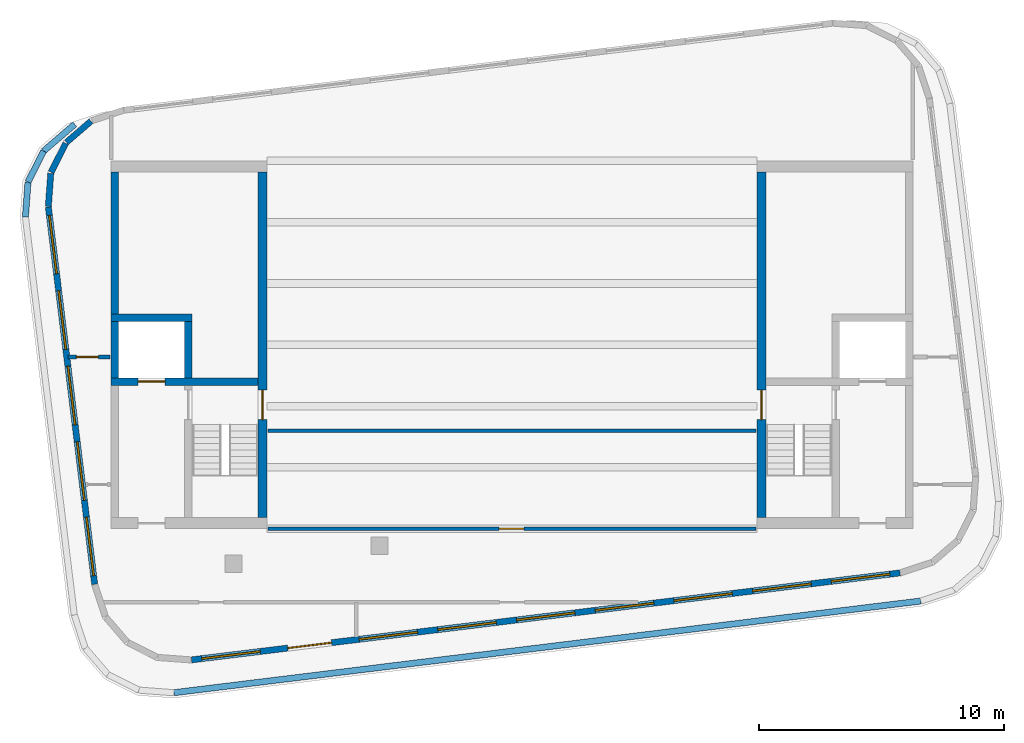
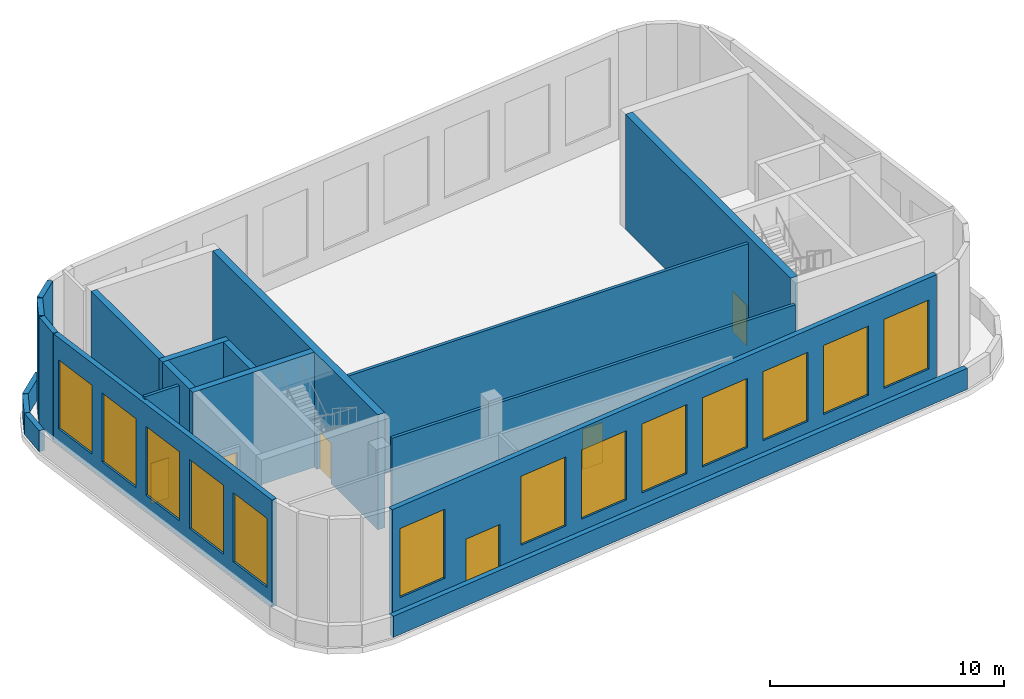
# One storey, part 2 of 5: 19 walls, 13 windows, 6 doors, 19 openings.
"""IFC4 building model written with IfcOpenShell, lengths in metres."""

import ifcopenshell
import ifcopenshell.guid

model = None  # the IFC model being written
_history = None  # IfcOwnerHistory: only IFC2X3 demands one
_inside = {}  # id of a spatial element -> (the spatial element, [elements in it])
_under = {}  # id of a project, library or spatial element -> (it, [spatial elements below it])
_declared = {}  # id of a project -> (the project, [libraries it declares])
_typed = {}  # id of a type object -> (the type object, [elements of that type])
_made_of = {}  # id of a material, layer set ... -> (it, [elements and type objects made of it])


def new_model(schema):
    """Start an empty IFC model of exactly this schema.

    Asked for "IFC4X3", IfcOpenShell would pick the latest addendum, in which some entities
    have other attributes; the version numbers below select the first issue.
    IFC2X3 requires an IfcOwnerHistory on every rooted entity: one is made here for all.
    """
    global model, _history
    if schema == "IFC4X3":
        model = ifcopenshell.file(schema_version=(4, 3, 0, 0))
    else:
        model = ifcopenshell.file(schema=schema)
    _inside.clear()
    _under.clear()
    _declared.clear()
    _typed.clear()
    _made_of.clear()
    _history = None
    if model.schema == "IFC2X3":
        org = make("IfcOrganization", Name="unknown")
        user = make(
            "IfcPersonAndOrganization",
            ThePerson=make("IfcPerson", FamilyName="unknown"),
            TheOrganization=org,
        )
        app = make(
            "IfcApplication",
            ApplicationDeveloper=org,
            Version="unknown",
            ApplicationFullName="unknown",
            ApplicationIdentifier="unknown",
        )
        _history = make(
            "IfcOwnerHistory",
            OwningUser=user,
            OwningApplication=app,
            ChangeAction="ADDED",
            CreationDate=0,
        )
    return model


def make(cls, **values):
    """One entity of the class cls with the attributes given. An attribute that is None is left unset."""
    return model.create_entity(
        cls, **{name: value for name, value in values.items() if value is not None}
    )


def rooted(cls, **values):
    """An entity with a GlobalId (a new one), such as an element, a storey or a relation."""
    return make(cls, GlobalId=ifcopenshell.guid.new(), OwnerHistory=_history, **values)


def si_unit(unit_type, name, prefix=None):
    """IfcSIUnit, for example si_unit("LENGTHUNIT", "METRE", prefix="MILLI")."""
    return make("IfcSIUnit", UnitType=unit_type, Prefix=prefix, Name=name)


def assignment(units):
    """IfcUnitAssignment: the units of a project."""
    return None if units is None else make("IfcUnitAssignment", Units=units)


def point(xyz):
    """IfcCartesianPoint."""
    return None if xyz is None else make("IfcCartesianPoint", Coordinates=xyz)


def direction(xyz):
    """IfcDirection."""
    return None if xyz is None else make("IfcDirection", DirectionRatios=xyz)


def frame(location, z_axis=None, x_axis=None):
    """IfcAxis2Placement3D, a coordinate frame: its origin and axes. An axis left out is left unset."""
    return make(
        "IfcAxis2Placement3D",
        Location=point(location),
        Axis=direction(z_axis),
        RefDirection=direction(x_axis),
    )


def frame_2d(location, x_axis=None):
    """IfcAxis2Placement2D, a coordinate frame in the plane: its origin and x axis."""
    return make(
        "IfcAxis2Placement2D", Location=point(location), RefDirection=direction(x_axis)
    )


def origin():
    """The frame at (0, 0, 0) with its axes left unset."""
    return frame((0.0, 0.0, 0.0))


def place(relative_to, where):
    """IfcLocalPlacement: puts the frame where relative to a parent placement (None: the world)."""
    return make(
        "IfcLocalPlacement", PlacementRelTo=relative_to, RelativePlacement=where
    )


def context(
    kind, dimensions, precision=None, world=None, true_north=None, identifier=None
):
    """IfcGeometricRepresentationContext, for example the 3D "Model" context."""
    return make(
        "IfcGeometricRepresentationContext",
        ContextIdentifier=identifier,
        ContextType=kind,
        CoordinateSpaceDimension=dimensions,
        Precision=precision,
        WorldCoordinateSystem=world,
        TrueNorth=true_north,
    )


def subcontext(parent, identifier, kind, view, scale=None):
    """IfcGeometricRepresentationSubContext, for example "Body" below "Model"."""
    return make(
        "IfcGeometricRepresentationSubContext",
        ContextIdentifier=identifier,
        ContextType=kind,
        ParentContext=parent,
        TargetScale=scale,
        TargetView=view,
    )


def project(units=None, contexts=None):
    """IfcProject with its units and contexts."""
    return rooted(
        "IfcProject",
        Name="project",
        RepresentationContexts=contexts,
        UnitsInContext=assignment(units),
    )


def spatial(cls, under=None, at=None, **own):
    """A site, building, storey or space (cls), placed at a placement, below another one or the project."""
    s = rooted(cls, ObjectPlacement=at, **own)
    if under is not None:
        _under.setdefault(under.id(), (under, []))[1].append(s)
    return s


def profile(cls, at=None, kind="AREA", **sizes):
    """A parametric profile (cls). Its sizes go by their IFC names, for example OverallWidth=200.0."""
    return make(cls, ProfileType=kind, Position=at, **sizes)


def rectangle(**sizes):
    """IfcRectangleProfileDef."""
    return profile("IfcRectangleProfileDef", **sizes)


def extrude(swept, where, along, depth):
    """IfcExtrudedAreaSolid: the profile swept, set in the frame where, extruded along a direction by depth."""
    return make(
        "IfcExtrudedAreaSolid",
        SweptArea=swept,
        Position=where,
        ExtrudedDirection=direction(along),
        Depth=depth,
    )


def shape(context_of_items, identifier, shape_type, items):
    """IfcShapeRepresentation: the items that make up one representation, for example the "Body"."""
    return make(
        "IfcShapeRepresentation",
        ContextOfItems=context_of_items,
        RepresentationIdentifier=identifier,
        RepresentationType=shape_type,
        Items=items,
    )


def material(Name=None, Category=None):
    """IfcMaterial."""
    return make("IfcMaterial", Name=Name, Category=Category)


def layer(
    of_material, thickness, ventilated=None, Name=None, Category=None, Priority=None
):
    """IfcMaterialLayer: one layer of a wall or slab, of a material (None: an air gap)."""
    return make(
        "IfcMaterialLayer",
        Material=of_material,
        LayerThickness=thickness,
        IsVentilated=ventilated,
        Name=Name,
        Category=Category,
        Priority=Priority,
    )


def layer_set(layers, Name=None):
    """IfcMaterialLayerSet."""
    return make("IfcMaterialLayerSet", MaterialLayers=layers, LayerSetName=Name)


def made_of(thing, what):
    """Note that an element or type object is made of a material, layer set ...; save() writes the relation."""
    if what is not None:
        _made_of.setdefault(what.id(), (what, []))[1].append(thing)
    return thing


def type_object(cls, material=None, **own):
    """A type object (cls), such as IfcWallType, which elements share."""
    return made_of(rooted(cls, **own), material)


def element(
    cls,
    number,
    at=None,
    inside=None,
    cuts=None,
    type_object=None,
    material=None,
    context=None,
    identifier="Body",
    shape_type=None,
    held_by="IfcProductDefinitionShape",
    body=None,
    shapes=None,
    **own,
):
    """One element of the class cls, such as IfcWall. Its Tag is "e" and its number.

    at: its placement. inside: the storey or other place that contains it. cuts: it is an
    opening in that element (IfcRelVoidsElement). A single representation is given by context,
    identifier, shape_type and body (its items); several are given by shapes. held_by: the class
    of the entity that holds the representations. save() writes the other relations.
    """
    e = rooted(cls, Tag="e%d" % number, ObjectPlacement=at, **own)
    if body is not None:
        shapes = [shape(context, identifier, shape_type, body)]
    if shapes is not None:
        e.Representation = make(held_by, Representations=shapes)
    if inside is not None:
        _inside.setdefault(inside.id(), (inside, []))[1].append(e)
    if cuts is not None:
        rooted(
            "IfcRelVoidsElement", RelatingBuildingElement=cuts, RelatedOpeningElement=e
        )
    if type_object is not None:
        _typed.setdefault(type_object.id(), (type_object, []))[1].append(e)
    return made_of(e, material)


def fill(opening, filler):
    """IfcRelFillsElement: the door or window that sits in an opening."""
    return rooted(
        "IfcRelFillsElement",
        RelatingOpeningElement=opening,
        RelatedBuildingElement=filler,
    )


def aggregate(whole, parts):
    """IfcRelAggregates: a whole, such as a stair, and the parts it consists of."""
    return rooted("IfcRelAggregates", RelatingObject=whole, RelatedObjects=parts)


def save(model, path):
    """Write the relations noted so far, then the file.

    IfcRelAggregates (storeys below a building ...), IfcRelContainedInSpatialStructure (elements
    in a storey), IfcRelDefinesByType, IfcRelAssociatesMaterial and IfcRelDeclares: one each for
    every whole, place, type object, material and project.
    """
    for whole, parts in _under.values():
        aggregate(whole, parts)
    for where, things in _inside.values():
        rooted(
            "IfcRelContainedInSpatialStructure",
            RelatedElements=things,
            RelatingStructure=where,
        )
    for kind, things in _typed.values():
        rooted("IfcRelDefinesByType", RelatedObjects=things, RelatingType=kind)
    for what, things in _made_of.values():
        rooted("IfcRelAssociatesMaterial", RelatedObjects=things, RelatingMaterial=what)
    for by, libraries in _declared.values():
        rooted("IfcRelDeclares", RelatingContext=by, RelatedDefinitions=libraries)
    model.write(path)


model = new_model("IFC4")

# Units and contexts
model_context = context("Model", 3, precision=1e-05, world=origin(), true_north=direction((0.0, 1.0)))
body_context = subcontext(model_context, "Body", "Model", "MODEL_VIEW")
ifc_project = project(units=[si_unit("LENGTHUNIT", "METRE"), si_unit("AREAUNIT", "SQUARE_METRE"), si_unit("VOLUMEUNIT", "CUBIC_METRE"), si_unit("PLANEANGLEUNIT", "RADIAN"), si_unit("MASSUNIT", "GRAM", prefix="KILO")], contexts=[model_context])

# Site, building, storey
site_placement = place(None, origin())
site = spatial("IfcSite", under=ifc_project, at=site_placement, CompositionType="ELEMENT")
building_placement = place(site_placement, origin())
building = spatial("IfcBuilding", under=site, at=building_placement, Name="Torana Hotel and Residences", CompositionType="ELEMENT")
storey_placement = place(building_placement, frame((0.0, 0.0, 357.39990234375)))
storey = spatial("IfcBuildingStorey", under=building, at=storey_placement, Name="C4", CompositionType="ELEMENT", Elevation=357.39990234375)

# Wall
ifc_material_1 = material(Name="Concrete C50/60", Category="concrete")
ifc_layer_1 = layer(ifc_material_1, 0.300048828125)
ifc_layer_set_1 = layer_set([ifc_layer_1], Name="CORE WALL 300 C50/60")
wall_type_1 = type_object("IfcWallType", Name="CORE WALL 300 C50/60", PredefinedType="SHEAR", material=ifc_layer_set_1)
wall_1_placement = place(storey_placement, frame((-16.199951171875, -6.25, 0.0), z_axis=(0.0, 0.0, 1.0), x_axis=(0.0, 1.0, 0.0)))
element("IfcWall", 1, at=wall_1_placement, inside=storey, type_object=wall_type_1, Name="Core wall W outer-n", PredefinedType="SHEAR", context=body_context, shape_type="SweptSolid", body=[
    extrude(rectangle(XDim=5.800048828125, YDim=0.300048828125, at=frame_2d((2.89990234375, 0.0))), origin(), (0.0, 0.0, 1.0), 6.0),
])

# Wall, opening, door
wall_2_placement = place(storey_placement, frame((-16.35009765625, -9.0, 0.0), z_axis=(0.0, 0.0, 1.0), x_axis=(1.0, 0.0, 0.0)))
wall_2 = element("IfcWall", 2, at=wall_2_placement, inside=storey, type_object=wall_type_1, Name="Core wall W band", PredefinedType="SHEAR", context=body_context, shape_type="SweptSolid", body=[
    extrude(rectangle(XDim=6.0, YDim=0.300048828125, at=frame_2d((3.0, 0.0))), origin(), (0.0, 0.0, 1.0), 6.0),
])
opening_1_placement = place(wall_2_placement, frame((1.10009765625, 0.0, 0.0)))
opening_1 = element("IfcOpeningElement", 3, at=opening_1_placement, cuts=wall_2, Name="Opening LD", PredefinedType="OPENING", context=body_context, shape_type="SweptSolid", body=[
    extrude(rectangle(XDim=1.10009765625, YDim=2.10009765625, at=frame_2d((0.550048828125, 1.050048828125))), frame((0.0, 0.159912109375, 0.0), z_axis=(0.0, -1.0, 0.0), x_axis=(1.0, 0.0, 0.0)), (0.0, 0.0, 1.0), 0.320068359375),
])
ifc_material_2 = material(Name="Stainless steel 316", Category="steel")
door_type_1 = type_object("IfcDoorType", Name="LIFT LANDING DOOR LD 1100x2100", OperationType="DOUBLE_DOOR_SLIDING", PredefinedType="USERDEFINED", material=ifc_material_2)
door_1_placement = place(opening_1_placement, origin())
door_1 = element("IfcDoor", 4, at=door_1_placement, inside=storey, type_object=door_type_1, Name="Lift landing door FF1 C4", ObjectType="LIFT LANDING DOOR", OperationType="DOUBLE_DOOR_SLIDING", OverallHeight=2.10009765625, OverallWidth=1.10009765625, PredefinedType="USERDEFINED", context=body_context, shape_type="SweptSolid", body=[
    extrude(rectangle(XDim=1.10009765625, YDim=2.10009765625, at=frame_2d((0.550048828125, 1.050048828125))), frame((0.0, 0.02490234375, 0.0), z_axis=(0.0, -1.0, 0.0), x_axis=(1.0, 0.0, 0.0)), (0.0, 0.0, 1.0), 0.050048828125),
])
fill(opening_1, door_1)

# Walls
wall_3_placement = place(storey_placement, frame((-16.35009765625, -6.39990234375, 0.0), z_axis=(0.0, 0.0, 1.0), x_axis=(1.0, 0.0, 0.0)))
element("IfcWall", 5, at=wall_3_placement, inside=storey, type_object=wall_type_1, Name="Core wall W row-S", PredefinedType="SHEAR", context=body_context, shape_type="SweptSolid", body=[
    extrude(rectangle(XDim=3.300048828125, YDim=0.300048828125, at=frame_2d((1.64990234375, 0.0))), origin(), (0.0, 0.0, 1.0), 6.0),
])
for number, where, z_axis, x_axis, name in (
    (6, (-13.199951171875, -8.85009765625, 0.0), (0.0, 0.0, 1.0), (0.0, 1.0, 0.0), "Core wall W x3.05-S"),
    (7, (-16.199951171875, -8.85009765625, 0.0), (0.0, 0.0, 1.0), (0.0, 1.0, 0.0), "Core wall W x6.05-S"),
):
    element("IfcWall", number, at=place(storey_placement, frame(where, z_axis=z_axis, x_axis=x_axis)), inside=storey, type_object=wall_type_1, Name=name, PredefinedType="SHEAR", context=body_context, shape_type="SweptSolid", body=[
        extrude(rectangle(XDim=2.300048828125, YDim=0.300048828125, at=frame_2d((1.14990234375, 0.0))), origin(), (0.0, 0.0, 1.0), 6.0),
    ])

# Wall, opening, door
ifc_material_3 = material(Name="Concrete C50/60", Category="concrete")
ifc_layer_2 = layer(ifc_material_3, 0.35009765625)
ifc_layer_set_2 = layer_set([ifc_layer_2], Name="CORE WALL 350 C50/60")
wall_type_2 = type_object("IfcWallType", Name="CORE WALL 350 C50/60", PredefinedType="SHEAR", material=ifc_layer_set_2)
wall_4_placement = place(storey_placement, frame((-10.175048828125, -14.550048828125, 0.0), z_axis=(0.0, 0.0, 1.0), x_axis=(0.0, 1.0, 0.0)))
wall_4 = element("IfcWall", 8, at=wall_4_placement, inside=storey, type_object=wall_type_2, Name="Core wall W arch", PredefinedType="SHEAR", context=body_context, shape_type="SweptSolid", body=[
    extrude(rectangle(XDim=14.10009765625, YDim=0.35009765625, at=frame_2d((7.050048828125, 0.0))), origin(), (0.0, 0.0, 1.0), 6.0),
])
opening_2_placement = place(wall_4_placement, frame((4.0, 0.0, 0.0)))
opening_2 = element("IfcOpeningElement", 9, at=opening_2_placement, cuts=wall_4, Name="Opening C4-01", PredefinedType="OPENING", context=body_context, shape_type="SweptSolid", body=[
    extrude(rectangle(XDim=1.199951171875, YDim=2.10009765625, at=frame_2d((0.60009765625, 1.050048828125))), frame((0.0, 0.18505859375, 0.0), z_axis=(0.0, -1.0, 0.0), x_axis=(1.0, 0.0, 0.0)), (0.0, 0.0, 1.0), 0.3701171875),
])
ifc_material_4 = material(Name="Steel S235", Category="steel")
door_type_2 = type_object("IfcDoorType", Name="STAIR FIRE DOOR D3 1200x2100", OperationType="SINGLE_SWING_LEFT", PredefinedType="DOOR", material=ifc_material_4)
door_2_placement = place(opening_2_placement, origin())
door_2 = element("IfcDoor", 10, at=door_2_placement, inside=storey, type_object=door_type_2, Name="Stair-A door C4", OperationType="SINGLE_SWING_LEFT", OverallHeight=2.10009765625, OverallWidth=1.199951171875, PredefinedType="DOOR", context=body_context, shape_type="SweptSolid", body=[
    extrude(rectangle(XDim=1.199951171875, YDim=2.10009765625, at=frame_2d((0.60009765625, 1.050048828125))), frame((0.0, 0.02490234375, 0.0), z_axis=(0.0, -1.0, 0.0), x_axis=(1.0, 0.0, 0.0)), (0.0, 0.0, 1.0), 0.050048828125),
])
fill(opening_2, door_2)

wall_5_placement = place(storey_placement, frame((10.175048828125, -14.550048828125, 0.0), z_axis=(0.0, 0.0, 1.0), x_axis=(0.0, 1.0, 0.0)))
wall_5 = element("IfcWall", 11, at=wall_5_placement, inside=storey, type_object=wall_type_2, Name="Core wall E arch", PredefinedType="SHEAR", context=body_context, shape_type="SweptSolid", body=[
    extrude(rectangle(XDim=14.10009765625, YDim=0.35009765625, at=frame_2d((7.050048828125, 0.0))), origin(), (0.0, 0.0, 1.0), 6.0),
])
opening_3_placement = place(wall_5_placement, frame((4.0, 0.0, 0.0)))
opening_3 = element("IfcOpeningElement", 12, at=opening_3_placement, cuts=wall_5, Name="Opening C4-04", PredefinedType="OPENING", context=body_context, shape_type="SweptSolid", body=[
    extrude(rectangle(XDim=1.199951171875, YDim=2.10009765625, at=frame_2d((0.60009765625, 1.050048828125))), frame((0.0, 0.18505859375, 0.0), z_axis=(0.0, -1.0, 0.0), x_axis=(1.0, 0.0, 0.0)), (0.0, 0.0, 1.0), 0.3701171875),
])
door_3_placement = place(opening_3_placement, frame((0.60009765625, 0.0, 0.0), z_axis=(0.0, 0.0, 1.0), x_axis=(-1.0, 0.0, 0.0)))
door_3 = element("IfcDoor", 13, at=door_3_placement, inside=storey, type_object=door_type_2, Name="Stair-A door C4", OperationType="SINGLE_SWING_RIGHT", OverallHeight=2.10009765625, OverallWidth=1.199951171875, PredefinedType="DOOR", context=body_context, shape_type="SweptSolid", body=[
    extrude(rectangle(XDim=1.199951171875, YDim=2.10009765625, at=frame_2d((0.0, 1.050048828125))), frame((0.0, -0.02490234375, 0.0), z_axis=(0.0, 1.0, 0.0), x_axis=(-1.0, 0.0, 0.0)), (0.0, 0.0, 1.0), 0.050048828125),
])
fill(opening_3, door_3)

# Walls
ifc_material_5 = material(Name="Aluminium louvre wall", Category="aluminium")
ifc_layer_3 = layer(ifc_material_5, 0.25)
ifc_layer_set_3 = layer_set([ifc_layer_3], Name="EW3 LOUVRE WALL 250")
wall_type_3 = type_object("IfcWallType", Name="EW3 LOUVRE WALL 250", PredefinedType="SOLIDWALL", material=ifc_layer_set_3)
wall_6_placement = place(storey_placement, frame((-17.169921875, 1.62158203125, 0.0), z_axis=(0.0, 0.0, 1.0), x_axis=(-0.757573589708, -0.652749765359, 0.0)))
element("IfcWall", 14, at=wall_6_placement, inside=storey, type_object=wall_type_3, Name="Louvre wall C4 e0.6", PredefinedType="SOLIDWALL", context=body_context, shape_type="SweptSolid", body=[
    extrude(rectangle(XDim=1.322998046875, YDim=0.25, at=frame_2d((0.66162109375, 0.0))), origin(), (0.0, 0.0, 1.0), 5.590087890625),
])
wall_7_placement = place(storey_placement, frame((-18.2021484375, 0.719482421875, 0.0), z_axis=(0.0, 0.0, 1.0), x_axis=(-0.450017080071, -0.893019948066, 0.0)))
element("IfcWall", 15, at=wall_7_placement, inside=storey, type_object=wall_type_3, Name="Louvre wall C4 e0.7", PredefinedType="SOLIDWALL", context=body_context, shape_type="SweptSolid", body=[
    extrude(rectangle(XDim=1.32275390625, YDim=0.25, at=frame_2d((0.661376953125, 0.0))), origin(), (0.0, 0.0, 1.0), 5.590087890625),
])
wall_8_placement = place(storey_placement, frame((-18.810302734375, -0.508544921875, 0.0), z_axis=(0.0, 0.0, 1.0), x_axis=(-0.074258626379, -0.99723901669, 0.0)))
element("IfcWall", 16, at=wall_8_placement, inside=storey, type_object=wall_type_3, Name="Louvre wall C4 e0.8", PredefinedType="SOLIDWALL", context=body_context, shape_type="SweptSolid", body=[
    extrude(rectangle(XDim=1.347900390625, YDim=0.25, at=frame_2d((0.673828125, 0.0))), origin(), (0.0, 0.0, 1.0), 5.590087890625),
])

# Wall, openings, windows
wall_9_placement = place(storey_placement, frame((-18.90966796875, -1.877197265625, 0.0), z_axis=(0.0, 0.0, 1.0), x_axis=(0.121859728622, -0.992547332141, 0.0)))
wall_9 = element("IfcWall", 17, at=wall_9_placement, inside=storey, type_object=wall_type_3, Name="Louvre wall C4 e0.9", PredefinedType="SOLIDWALL", context=body_context, shape_type="SweptSolid", body=[
    extrude(rectangle(XDim=15.502685546875, YDim=0.25, at=frame_2d((7.75146484375, 0.0))), origin(), (0.0, 0.0, 1.0), 5.590087890625),
])
opening_4_placement = place(wall_9_placement, frame((0.350341796875, 0.0, 0.83837890625)))
opening_4 = element("IfcOpeningElement", 18, at=opening_4_placement, cuts=wall_9, Name="Opening LV2", PredefinedType="OPENING", context=body_context, shape_type="SweptSolid", body=[
    extrude(rectangle(XDim=2.39990234375, YDim=3.60009765625, at=frame_2d((1.199951171875, 1.800048828125))), frame((0.0, 0.135009765625, 0.0), z_axis=(0.0, -1.0, 0.0), x_axis=(1.0, 0.0, 0.0)), (0.0, 0.0, 1.0), 0.27001953125),
])
opening_5_placement = place(wall_9_placement, frame((3.45068359375, 0.0, 0.83837890625)))
opening_5 = element("IfcOpeningElement", 19, at=opening_5_placement, cuts=wall_9, Name="Opening LV2", PredefinedType="OPENING", context=body_context, shape_type="SweptSolid", body=[
    extrude(rectangle(XDim=2.39990234375, YDim=3.60009765625, at=frame_2d((1.199951171875, 1.800048828125))), frame((0.0, 0.135009765625, 0.0), z_axis=(0.0, -1.0, 0.0), x_axis=(1.0, 0.0, 0.0)), (0.0, 0.0, 1.0), 0.27001953125),
])
opening_6_placement = place(wall_9_placement, frame((6.551513671875, 0.0, 0.83837890625)))
opening_6 = element("IfcOpeningElement", 20, at=opening_6_placement, cuts=wall_9, Name="Opening LV2", PredefinedType="OPENING", context=body_context, shape_type="SweptSolid", body=[
    extrude(rectangle(XDim=2.39990234375, YDim=3.60009765625, at=frame_2d((1.199951171875, 1.800048828125))), frame((0.0, 0.135009765625, 0.0), z_axis=(0.0, -1.0, 0.0), x_axis=(1.0, 0.0, 0.0)), (0.0, 0.0, 1.0), 0.27001953125),
])
opening_7_placement = place(wall_9_placement, frame((9.65185546875, 0.0, 0.83837890625)))
opening_7 = element("IfcOpeningElement", 21, at=opening_7_placement, cuts=wall_9, Name="Opening LV2", PredefinedType="OPENING", context=body_context, shape_type="SweptSolid", body=[
    extrude(rectangle(XDim=2.39990234375, YDim=3.60009765625, at=frame_2d((1.199951171875, 1.800048828125))), frame((0.0, 0.135009765625, 0.0), z_axis=(0.0, -1.0, 0.0), x_axis=(1.0, 0.0, 0.0)), (0.0, 0.0, 1.0), 0.27001953125),
])
opening_8_placement = place(wall_9_placement, frame((12.75244140625, 0.0, 0.83837890625)))
opening_8 = element("IfcOpeningElement", 22, at=opening_8_placement, cuts=wall_9, Name="Opening LV2", PredefinedType="OPENING", context=body_context, shape_type="SweptSolid", body=[
    extrude(rectangle(XDim=2.39990234375, YDim=3.60009765625, at=frame_2d((1.199951171875, 1.800048828125))), frame((0.0, 0.135009765625, 0.0), z_axis=(0.0, -1.0, 0.0), x_axis=(1.0, 0.0, 0.0)), (0.0, 0.0, 1.0), 0.27001953125),
])
ifc_material_6 = material(Name="Aluminium louvre blades", Category="aluminium")
window_type = type_object("IfcWindowType", Name="LV2 LOUVRE 2400x3600", PartitioningType="SINGLE_PANEL", PredefinedType="USERDEFINED", material=ifc_material_6)
window_1_placement = place(opening_4_placement, origin())
window_1 = element("IfcWindow", 23, at=window_1_placement, inside=storey, type_object=window_type, Name="Louvre C4", ObjectType="LOUVRE", OverallHeight=3.60009765625, OverallWidth=2.39990234375, PartitioningType="SINGLE_PANEL", PredefinedType="USERDEFINED", context=body_context, shape_type="SweptSolid", body=[
    extrude(rectangle(XDim=2.39990234375, YDim=3.60009765625, at=frame_2d((1.199951171875, 1.800048828125))), frame((0.0, 0.030029296875, 0.0), z_axis=(0.0, -1.0, 0.0), x_axis=(1.0, 0.0, 0.0)), (0.0, 0.0, 1.0), 0.06005859375),
])
fill(opening_4, window_1)
window_2_placement = place(opening_5_placement, origin())
window_2 = element("IfcWindow", 24, at=window_2_placement, inside=storey, type_object=window_type, Name="Louvre C4", ObjectType="LOUVRE", OverallHeight=3.60009765625, OverallWidth=2.39990234375, PartitioningType="SINGLE_PANEL", PredefinedType="USERDEFINED", context=body_context, shape_type="SweptSolid", body=[
    extrude(rectangle(XDim=2.39990234375, YDim=3.60009765625, at=frame_2d((1.199951171875, 1.800048828125))), frame((0.0, 0.030029296875, 0.0), z_axis=(0.0, -1.0, 0.0), x_axis=(1.0, 0.0, 0.0)), (0.0, 0.0, 1.0), 0.06005859375),
])
fill(opening_5, window_2)
window_3_placement = place(opening_6_placement, origin())
window_3 = element("IfcWindow", 25, at=window_3_placement, inside=storey, type_object=window_type, Name="Louvre C4", ObjectType="LOUVRE", OverallHeight=3.60009765625, OverallWidth=2.39990234375, PartitioningType="SINGLE_PANEL", PredefinedType="USERDEFINED", context=body_context, shape_type="SweptSolid", body=[
    extrude(rectangle(XDim=2.39990234375, YDim=3.60009765625, at=frame_2d((1.199951171875, 1.800048828125))), frame((0.0, 0.030029296875, 0.0), z_axis=(0.0, -1.0, 0.0), x_axis=(1.0, 0.0, 0.0)), (0.0, 0.0, 1.0), 0.06005859375),
])
fill(opening_6, window_3)
window_4_placement = place(opening_7_placement, origin())
window_4 = element("IfcWindow", 26, at=window_4_placement, inside=storey, type_object=window_type, Name="Louvre C4", ObjectType="LOUVRE", OverallHeight=3.60009765625, OverallWidth=2.39990234375, PartitioningType="SINGLE_PANEL", PredefinedType="USERDEFINED", context=body_context, shape_type="SweptSolid", body=[
    extrude(rectangle(XDim=2.39990234375, YDim=3.60009765625, at=frame_2d((1.199951171875, 1.800048828125))), frame((0.0, 0.030029296875, 0.0), z_axis=(0.0, -1.0, 0.0), x_axis=(1.0, 0.0, 0.0)), (0.0, 0.0, 1.0), 0.06005859375),
])
fill(opening_7, window_4)
window_5_placement = place(opening_8_placement, origin())
window_5 = element("IfcWindow", 27, at=window_5_placement, inside=storey, type_object=window_type, Name="Louvre C4", ObjectType="LOUVRE", OverallHeight=3.60009765625, OverallWidth=2.39990234375, PartitioningType="SINGLE_PANEL", PredefinedType="USERDEFINED", context=body_context, shape_type="SweptSolid", body=[
    extrude(rectangle(XDim=2.39990234375, YDim=3.60009765625, at=frame_2d((1.199951171875, 1.800048828125))), frame((0.0, 0.030029296875, 0.0), z_axis=(0.0, -1.0, 0.0), x_axis=(1.0, 0.0, 0.0)), (0.0, 0.0, 1.0), 0.06005859375),
])
fill(opening_8, window_5)

# Wall, openings, door, windows
wall_10_placement = place(storey_placement, frame((-13.0703125, -20.3505859375, 0.0), z_axis=(0.0, 0.0, 1.0), x_axis=(0.992546587848, 0.121865790738, 0.0)))
wall_10 = element("IfcWall", 28, at=wall_10_placement, inside=storey, type_object=wall_type_3, Name="Louvre wall C4 e0.14", PredefinedType="SOLIDWALL", context=body_context, shape_type="SweptSolid", body=[
    extrude(rectangle(XDim=29.11083984375, YDim=0.25, at=frame_2d((14.555419921875, 0.0))), origin(), (0.0, 0.0, 1.0), 5.590087890625),
])
opening_9_placement = place(wall_10_placement, frame((0.417236328125, 0.0, 0.83837890625)))
opening_9 = element("IfcOpeningElement", 29, at=opening_9_placement, cuts=wall_10, Name="Opening LV2", PredefinedType="OPENING", context=body_context, shape_type="SweptSolid", body=[
    extrude(rectangle(XDim=2.39990234375, YDim=3.60009765625, at=frame_2d((1.199951171875, 1.800048828125))), frame((0.0, 0.135009765625, 0.0), z_axis=(0.0, -1.0, 0.0), x_axis=(1.0, 0.0, 0.0)), (0.0, 0.0, 1.0), 0.27001953125),
])
opening_10_placement = place(wall_10_placement, frame((3.951904296875, 0.0, 0.0)))
opening_10 = element("IfcOpeningElement", 30, at=opening_10_placement, cuts=wall_10, Name="Opening C4-E01", PredefinedType="OPENING", context=body_context, shape_type="SweptSolid", body=[
    extrude(rectangle(XDim=1.800048828125, YDim=2.39990234375, at=frame_2d((0.89990234375, 1.199951171875))), frame((0.0, 0.135009765625, 0.0), z_axis=(0.0, -1.0, 0.0), x_axis=(1.0, 0.0, 0.0)), (0.0, 0.0, 1.0), 0.27001953125),
])
opening_11_placement = place(wall_10_placement, frame((6.88623046875, 0.0, 0.83837890625)))
opening_11 = element("IfcOpeningElement", 31, at=opening_11_placement, cuts=wall_10, Name="Opening LV2", PredefinedType="OPENING", context=body_context, shape_type="SweptSolid", body=[
    extrude(rectangle(XDim=2.39990234375, YDim=3.60009765625, at=frame_2d((1.199951171875, 1.800048828125))), frame((0.0, 0.135009765625, 0.0), z_axis=(0.0, -1.0, 0.0), x_axis=(1.0, 0.0, 0.0)), (0.0, 0.0, 1.0), 0.27001953125),
])
opening_12_placement = place(wall_10_placement, frame((10.120849609375, 0.0, 0.83837890625)))
opening_12 = element("IfcOpeningElement", 32, at=opening_12_placement, cuts=wall_10, Name="Opening LV2", PredefinedType="OPENING", context=body_context, shape_type="SweptSolid", body=[
    extrude(rectangle(XDim=2.39990234375, YDim=3.60009765625, at=frame_2d((1.199951171875, 1.800048828125))), frame((0.0, 0.135009765625, 0.0), z_axis=(0.0, -1.0, 0.0), x_axis=(1.0, 0.0, 0.0)), (0.0, 0.0, 1.0), 0.27001953125),
])
opening_13_placement = place(wall_10_placement, frame((13.35546875, 0.0, 0.83837890625)))
opening_13 = element("IfcOpeningElement", 33, at=opening_13_placement, cuts=wall_10, Name="Opening LV2", PredefinedType="OPENING", context=body_context, shape_type="SweptSolid", body=[
    extrude(rectangle(XDim=2.39990234375, YDim=3.60009765625, at=frame_2d((1.199951171875, 1.800048828125))), frame((0.0, 0.135009765625, 0.0), z_axis=(0.0, -1.0, 0.0), x_axis=(1.0, 0.0, 0.0)), (0.0, 0.0, 1.0), 0.27001953125),
])
opening_14_placement = place(wall_10_placement, frame((16.58984375, 0.0, 0.83837890625)))
opening_14 = element("IfcOpeningElement", 34, at=opening_14_placement, cuts=wall_10, Name="Opening LV2", PredefinedType="OPENING", context=body_context, shape_type="SweptSolid", body=[
    extrude(rectangle(XDim=2.39990234375, YDim=3.60009765625, at=frame_2d((1.199951171875, 1.800048828125))), frame((0.0, 0.135009765625, 0.0), z_axis=(0.0, -1.0, 0.0), x_axis=(1.0, 0.0, 0.0)), (0.0, 0.0, 1.0), 0.27001953125),
])
opening_15_placement = place(wall_10_placement, frame((19.824462890625, 0.0, 0.83837890625)))
opening_15 = element("IfcOpeningElement", 35, at=opening_15_placement, cuts=wall_10, Name="Opening LV2", PredefinedType="OPENING", context=body_context, shape_type="SweptSolid", body=[
    extrude(rectangle(XDim=2.39990234375, YDim=3.60009765625, at=frame_2d((1.199951171875, 1.800048828125))), frame((0.0, 0.135009765625, 0.0), z_axis=(0.0, -1.0, 0.0), x_axis=(1.0, 0.0, 0.0)), (0.0, 0.0, 1.0), 0.27001953125),
])
opening_16_placement = place(wall_10_placement, frame((23.05908203125, 0.0, 0.83837890625)))
opening_16 = element("IfcOpeningElement", 36, at=opening_16_placement, cuts=wall_10, Name="Opening LV2", PredefinedType="OPENING", context=body_context, shape_type="SweptSolid", body=[
    extrude(rectangle(XDim=2.39990234375, YDim=3.60009765625, at=frame_2d((1.199951171875, 1.800048828125))), frame((0.0, 0.135009765625, 0.0), z_axis=(0.0, -1.0, 0.0), x_axis=(1.0, 0.0, 0.0)), (0.0, 0.0, 1.0), 0.27001953125),
])
opening_17_placement = place(wall_10_placement, frame((26.29345703125, 0.0, 0.83837890625)))
opening_17 = element("IfcOpeningElement", 37, at=opening_17_placement, cuts=wall_10, Name="Opening LV2", PredefinedType="OPENING", context=body_context, shape_type="SweptSolid", body=[
    extrude(rectangle(XDim=2.39990234375, YDim=3.60009765625, at=frame_2d((1.199951171875, 1.800048828125))), frame((0.0, 0.135009765625, 0.0), z_axis=(0.0, -1.0, 0.0), x_axis=(1.0, 0.0, 0.0)), (0.0, 0.0, 1.0), 0.27001953125),
])
ifc_material_7 = material(Name="Dark glass in black aluminium frame", Category="aluminium")
door_type_3 = type_object("IfcDoorType", Name="DE2 TERRACE DOOR 1800x2400", OperationType="DOUBLE_DOOR_SINGLE_SWING", PredefinedType="DOOR", material=ifc_material_7)
door_4_placement = place(opening_10_placement, origin())
door_4 = element("IfcDoor", 38, at=door_4_placement, inside=storey, type_object=door_type_3, Name="Terrace door C4", OperationType="DOUBLE_DOOR_SINGLE_SWING", OverallHeight=2.39990234375, OverallWidth=1.800048828125, PredefinedType="DOOR", context=body_context, shape_type="SweptSolid", body=[
    extrude(rectangle(XDim=1.800048828125, YDim=2.39990234375, at=frame_2d((0.89990234375, 1.199951171875))), frame((0.0, 0.02490234375, 0.0), z_axis=(0.0, -1.0, 0.0), x_axis=(1.0, 0.0, 0.0)), (0.0, 0.0, 1.0), 0.050048828125),
])
fill(opening_10, door_4)
window_6_placement = place(opening_9_placement, origin())
window_6 = element("IfcWindow", 39, at=window_6_placement, inside=storey, type_object=window_type, Name="Louvre C4", ObjectType="LOUVRE", OverallHeight=3.60009765625, OverallWidth=2.39990234375, PartitioningType="SINGLE_PANEL", PredefinedType="USERDEFINED", context=body_context, shape_type="SweptSolid", body=[
    extrude(rectangle(XDim=2.39990234375, YDim=3.60009765625, at=frame_2d((1.199951171875, 1.800048828125))), frame((0.0, 0.030029296875, 0.0), z_axis=(0.0, -1.0, 0.0), x_axis=(1.0, 0.0, 0.0)), (0.0, 0.0, 1.0), 0.06005859375),
])
fill(opening_9, window_6)
window_7_placement = place(opening_11_placement, origin())
window_7 = element("IfcWindow", 40, at=window_7_placement, inside=storey, type_object=window_type, Name="Louvre C4", ObjectType="LOUVRE", OverallHeight=3.60009765625, OverallWidth=2.39990234375, PartitioningType="SINGLE_PANEL", PredefinedType="USERDEFINED", context=body_context, shape_type="SweptSolid", body=[
    extrude(rectangle(XDim=2.39990234375, YDim=3.60009765625, at=frame_2d((1.199951171875, 1.800048828125))), frame((0.0, 0.030029296875, 0.0), z_axis=(0.0, -1.0, 0.0), x_axis=(1.0, 0.0, 0.0)), (0.0, 0.0, 1.0), 0.06005859375),
])
fill(opening_11, window_7)
window_8_placement = place(opening_12_placement, origin())
window_8 = element("IfcWindow", 41, at=window_8_placement, inside=storey, type_object=window_type, Name="Louvre C4", ObjectType="LOUVRE", OverallHeight=3.60009765625, OverallWidth=2.39990234375, PartitioningType="SINGLE_PANEL", PredefinedType="USERDEFINED", context=body_context, shape_type="SweptSolid", body=[
    extrude(rectangle(XDim=2.39990234375, YDim=3.60009765625, at=frame_2d((1.199951171875, 1.800048828125))), frame((0.0, 0.030029296875, 0.0), z_axis=(0.0, -1.0, 0.0), x_axis=(1.0, 0.0, 0.0)), (0.0, 0.0, 1.0), 0.06005859375),
])
fill(opening_12, window_8)
window_9_placement = place(opening_13_placement, origin())
window_9 = element("IfcWindow", 42, at=window_9_placement, inside=storey, type_object=window_type, Name="Louvre C4", ObjectType="LOUVRE", OverallHeight=3.60009765625, OverallWidth=2.39990234375, PartitioningType="SINGLE_PANEL", PredefinedType="USERDEFINED", context=body_context, shape_type="SweptSolid", body=[
    extrude(rectangle(XDim=2.39990234375, YDim=3.60009765625, at=frame_2d((1.199951171875, 1.800048828125))), frame((0.0, 0.030029296875, 0.0), z_axis=(0.0, -1.0, 0.0), x_axis=(1.0, 0.0, 0.0)), (0.0, 0.0, 1.0), 0.06005859375),
])
fill(opening_13, window_9)
window_10_placement = place(opening_14_placement, origin())
window_10 = element("IfcWindow", 43, at=window_10_placement, inside=storey, type_object=window_type, Name="Louvre C4", ObjectType="LOUVRE", OverallHeight=3.60009765625, OverallWidth=2.39990234375, PartitioningType="SINGLE_PANEL", PredefinedType="USERDEFINED", context=body_context, shape_type="SweptSolid", body=[
    extrude(rectangle(XDim=2.39990234375, YDim=3.60009765625, at=frame_2d((1.199951171875, 1.800048828125))), frame((0.0, 0.030029296875, 0.0), z_axis=(0.0, -1.0, 0.0), x_axis=(1.0, 0.0, 0.0)), (0.0, 0.0, 1.0), 0.06005859375),
])
fill(opening_14, window_10)
window_11_placement = place(opening_15_placement, origin())
window_11 = element("IfcWindow", 44, at=window_11_placement, inside=storey, type_object=window_type, Name="Louvre C4", ObjectType="LOUVRE", OverallHeight=3.60009765625, OverallWidth=2.39990234375, PartitioningType="SINGLE_PANEL", PredefinedType="USERDEFINED", context=body_context, shape_type="SweptSolid", body=[
    extrude(rectangle(XDim=2.39990234375, YDim=3.60009765625, at=frame_2d((1.199951171875, 1.800048828125))), frame((0.0, 0.030029296875, 0.0), z_axis=(0.0, -1.0, 0.0), x_axis=(1.0, 0.0, 0.0)), (0.0, 0.0, 1.0), 0.06005859375),
])
fill(opening_15, window_11)
window_12_placement = place(opening_16_placement, origin())
window_12 = element("IfcWindow", 45, at=window_12_placement, inside=storey, type_object=window_type, Name="Louvre C4", ObjectType="LOUVRE", OverallHeight=3.60009765625, OverallWidth=2.39990234375, PartitioningType="SINGLE_PANEL", PredefinedType="USERDEFINED", context=body_context, shape_type="SweptSolid", body=[
    extrude(rectangle(XDim=2.39990234375, YDim=3.60009765625, at=frame_2d((1.199951171875, 1.800048828125))), frame((0.0, 0.030029296875, 0.0), z_axis=(0.0, -1.0, 0.0), x_axis=(1.0, 0.0, 0.0)), (0.0, 0.0, 1.0), 0.06005859375),
])
fill(opening_16, window_12)
window_13_placement = place(opening_17_placement, origin())
window_13 = element("IfcWindow", 46, at=window_13_placement, inside=storey, type_object=window_type, Name="Louvre C4", ObjectType="LOUVRE", OverallHeight=3.60009765625, OverallWidth=2.39990234375, PartitioningType="SINGLE_PANEL", PredefinedType="USERDEFINED", context=body_context, shape_type="SweptSolid", body=[
    extrude(rectangle(XDim=2.39990234375, YDim=3.60009765625, at=frame_2d((1.199951171875, 1.800048828125))), frame((0.0, 0.030029296875, 0.0), z_axis=(0.0, -1.0, 0.0), x_axis=(1.0, 0.0, 0.0)), (0.0, 0.0, 1.0), 0.06005859375),
])
fill(opening_17, window_13)

# Wall, opening, door
ifc_material_8 = material(Name="Gypsum plaster")
ifc_layer_4 = layer(ifc_material_8, 0.014892578125, Name="Plaster", Category="finish")
ifc_material_9 = material(Name="Concrete blockwork", Category="masonry")
ifc_layer_5 = layer(ifc_material_9, 0.1201171875, Name="Blockwork", Category="structure")
ifc_layer_6 = layer(ifc_material_8, 0.014892578125, Name="Plaster", Category="finish")
ifc_layer_set_4 = layer_set([ifc_layer_4, ifc_layer_5, ifc_layer_6], Name="FIRE PARTITION 150 BLOCKWORK")
wall_type_4 = type_object("IfcWallType", Name="FIRE PARTITION 150 BLOCKWORK", PredefinedType="PARTITIONING", material=ifc_layer_set_4)
wall_11_placement = place(storey_placement, frame((-9.949951171875, -15.0, 0.0), z_axis=(0.0, 0.0, 1.0), x_axis=(1.0, 0.0, 0.0)))
wall_11 = element("IfcWall", 47, at=wall_11_placement, inside=storey, type_object=wall_type_4, Name="Partition C4", PredefinedType="PARTITIONING", context=body_context, shape_type="SweptSolid", body=[
    extrude(rectangle(XDim=19.89990234375, YDim=0.14990234375, at=frame_2d((9.949951171875, 0.0))), origin(), (0.0, 0.0, 1.0), 4.9541015625),
])
opening_18_placement = place(wall_11_placement, frame((9.429931640625, 0.0, 0.0)))
opening_18 = element("IfcOpeningElement", 48, at=opening_18_placement, cuts=wall_11, Name="Opening C4-07", PredefinedType="OPENING", context=body_context, shape_type="SweptSolid", body=[
    extrude(rectangle(XDim=1.0, YDim=2.10009765625, at=frame_2d((0.5, 1.050048828125))), frame((0.0, 0.0849609375, 0.0), z_axis=(0.0, -1.0, 0.0), x_axis=(1.0, 0.0, 0.0)), (0.0, 0.0, 1.0), 0.169921875),
])
ifc_material_10 = material(Name="Steel S235", Category="steel")
door_type_4 = type_object("IfcDoorType", Name="ENTRY FIRE DOOR D6 1000x2100", OperationType="SINGLE_SWING_LEFT", PredefinedType="DOOR", material=ifc_material_10)
door_5_placement = place(opening_18_placement, origin())
door_5 = element("IfcDoor", 49, at=door_5_placement, inside=storey, type_object=door_type_4, Name="Door C4", OperationType="SINGLE_SWING_RIGHT", OverallHeight=2.10009765625, OverallWidth=1.0, PredefinedType="DOOR", context=body_context, shape_type="SweptSolid", body=[
    extrude(rectangle(XDim=1.0, YDim=2.10009765625, at=frame_2d((0.5, 1.050048828125))), frame((0.0, 0.02490234375, 0.0), z_axis=(0.0, -1.0, 0.0), x_axis=(1.0, 0.0, 0.0)), (0.0, 0.0, 1.0), 0.050048828125),
])
fill(opening_18, door_5)

# Wall
wall_12_placement = place(storey_placement, frame((-9.949951171875, -11.0, 0.0), z_axis=(0.0, 0.0, 1.0), x_axis=(1.0, 0.0, 0.0)))
element("IfcWall", 50, at=wall_12_placement, inside=storey, type_object=wall_type_4, Name="Partition C4", PredefinedType="PARTITIONING", context=body_context, shape_type="SweptSolid", body=[
    extrude(rectangle(XDim=19.89990234375, YDim=0.14990234375, at=frame_2d((9.949951171875, 0.0))), origin(), (0.0, 0.0, 1.0), 5.72021484375),
])

# Wall, opening, door
ifc_material_11 = material(Name="Gypsum plasterboard")
ifc_layer_7 = layer(ifc_material_11, 0.012451171875, Name="Plasterboard", Category="finish")
ifc_layer_8 = layer(ifc_material_11, 0.012451171875, Name="Plasterboard", Category="finish")
ifc_material_12 = material(Name="Steel S280GD", Category="steel")
ifc_layer_9 = layer(ifc_material_12, 0.10009765625, Name="Steel studs with mineral wool", Category="insulation")
ifc_layer_10 = layer(ifc_material_11, 0.012451171875, Name="Plasterboard", Category="finish")
ifc_layer_11 = layer(ifc_material_11, 0.012451171875, Name="Plasterboard", Category="finish")
ifc_layer_set_5 = layer_set([ifc_layer_7, ifc_layer_8, ifc_layer_9, ifc_layer_10, ifc_layer_11], Name="PARTITION 150 PLASTERBOARD")
wall_type_5 = type_object("IfcWallType", Name="PARTITION 150 PLASTERBOARD", PredefinedType="PARTITIONING", material=ifc_layer_set_5)
wall_13_placement = place(storey_placement, frame((-18.1025390625, -8.0, 0.0), z_axis=(0.0, 0.0, 1.0), x_axis=(1.0, 0.0, 0.0)))
wall_13 = element("IfcWall", 51, at=wall_13_placement, inside=storey, type_object=wall_type_5, Name="Partition C4", PredefinedType="PARTITIONING", context=body_context, shape_type="SweptSolid", body=[
    extrude(rectangle(XDim=1.70263671875, YDim=0.14990234375, at=frame_2d((0.851318359375, 0.0))), origin(), (0.0, 0.0, 1.0), 5.72021484375),
])
opening_19_placement = place(wall_13_placement, frame((0.33544921875, 0.0, 0.0)))
opening_19 = element("IfcOpeningElement", 52, at=opening_19_placement, cuts=wall_13, Name="Opening C4-11", PredefinedType="OPENING", context=body_context, shape_type="SweptSolid", body=[
    extrude(rectangle(XDim=0.89990234375, YDim=2.10009765625, at=frame_2d((0.449951171875, 1.050048828125))), frame((0.0, 0.0849609375, 0.0), z_axis=(0.0, -1.0, 0.0), x_axis=(1.0, 0.0, 0.0)), (0.0, 0.0, 1.0), 0.169921875),
])
ifc_material_13 = material(Name="Timber door, oiled ash", Category="wood")
door_type_5 = type_object("IfcDoorType", Name="ROOM DOOR D7 900x2100", OperationType="SINGLE_SWING_LEFT", PredefinedType="DOOR", material=ifc_material_13)
door_6_placement = place(opening_19_placement, origin())
door_6 = element("IfcDoor", 53, at=door_6_placement, inside=storey, type_object=door_type_5, Name="Door C4", OperationType="SINGLE_SWING_RIGHT", OverallHeight=2.10009765625, OverallWidth=0.89990234375, PredefinedType="DOOR", context=body_context, shape_type="SweptSolid", body=[
    extrude(rectangle(XDim=0.89990234375, YDim=2.10009765625, at=frame_2d((0.449951171875, 1.050048828125))), frame((0.0, 0.02490234375, 0.0), z_axis=(0.0, -1.0, 0.0), x_axis=(1.0, 0.0, 0.0)), (0.0, 0.0, 1.0), 0.050048828125),
])
fill(opening_19, door_6)

# Walls
ifc_material_14 = material(Name="Aluminium coping with drip", Category="aluminium")
ifc_layer_12 = layer(ifc_material_14, 0.0029296875, Name="Coping flashing", Category="flashing")
ifc_material_15 = material(Name="Concrete C40/50 precast", Category="concrete")
ifc_layer_13 = layer(ifc_material_15, 0.00390625, Name="Cladding", Category="cladding")
ifc_material_16 = material(Name="Concrete C40/50", Category="concrete")
ifc_layer_14 = layer(ifc_material_16, 0.199951171875, Name="Wall", Category="structure")
ifc_material_17 = material(Name="Mineral wool insulation")
ifc_layer_15 = layer(ifc_material_17, 0.0400390625, Name="Insulation", Category="insulation")
ifc_material_18 = material(Name="Waterproofing upstand")
ifc_layer_16 = layer(ifc_material_18, 0.0029296875, Name="Upstand membrane", Category="membrane")
ifc_layer_set_6 = layer_set([ifc_layer_12, ifc_layer_13, ifc_layer_14, ifc_layer_15, ifc_layer_16], Name="PP1 PARAPET 250")
wall_type_6 = type_object("IfcWallType", Name="PP1 PARAPET 250", PredefinedType="PARAPET", material=ifc_layer_set_6)
wall_14_placement = place(storey_placement, frame((16.673095703125, -17.948486328125, 0.0), z_axis=(0.0, 0.0, 1.0), x_axis=(-0.992546915756, -0.121863120032, 0.0)))
element("IfcWall", 54, at=wall_14_placement, inside=storey, type_object=wall_type_6, Name="Roof parapet C4 9", PredefinedType="PARAPET", context=body_context, shape_type="SweptSolid", body=[
    extrude(rectangle(XDim=30.694091796875, YDim=0.25, at=frame_2d((15.34716796875, 0.0))), origin(), (0.0, 0.0, 1.0), 1.10009765625),
])
wall_15_placement = place(storey_placement, frame((-19.845458984375, -2.288330078125, 0.0), z_axis=(0.0, 0.0, 1.0), x_axis=(0.074066108954, 0.997253333664, 0.0)))
element("IfcWall", 55, at=wall_15_placement, inside=storey, type_object=wall_type_6, Name="Roof parapet C4 15", PredefinedType="PARAPET", context=body_context, shape_type="SweptSolid", body=[
    extrude(rectangle(XDim=1.433837890625, YDim=0.25, at=frame_2d((0.716796875, 0.0))), origin(), (0.0, 0.0, 1.0), 1.10009765625),
])
wall_16_placement = place(storey_placement, frame((-19.7392578125, -0.8583984375, 0.0), z_axis=(0.0, 0.0, 1.0), x_axis=(0.450047928384, 0.893004402093, 0.0)))
element("IfcWall", 56, at=wall_16_placement, inside=storey, type_object=wall_type_6, Name="Roof parapet C4 16", PredefinedType="PARAPET", context=body_context, shape_type="SweptSolid", body=[
    extrude(rectangle(XDim=1.41162109375, YDim=0.25, at=frame_2d((0.705810546875, 0.0))), origin(), (0.0, 0.0, 1.0), 1.10009765625),
])
wall_17_placement = place(storey_placement, frame((-19.10400390625, 0.402099609375, 0.0), z_axis=(0.0, 0.0, 1.0), x_axis=(0.757618667938, 0.65269744445, 0.0)))
element("IfcWall", 57, at=wall_17_placement, inside=storey, type_object=wall_type_6, Name="Roof parapet C4 17", PredefinedType="PARAPET", context=body_context, shape_type="SweptSolid", body=[
    extrude(rectangle(XDim=1.67529296875, YDim=0.25, at=frame_2d((0.837646484375, 0.0))), origin(), (0.0, 0.0, 1.0), 1.10009765625),
])

save(model, "model.ifc")
